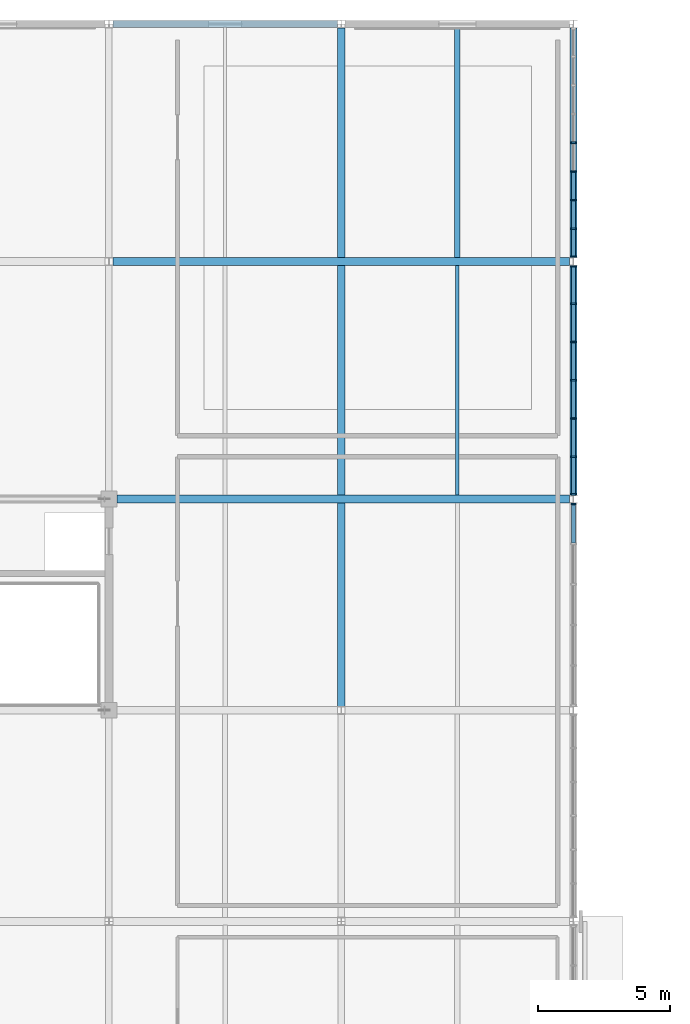
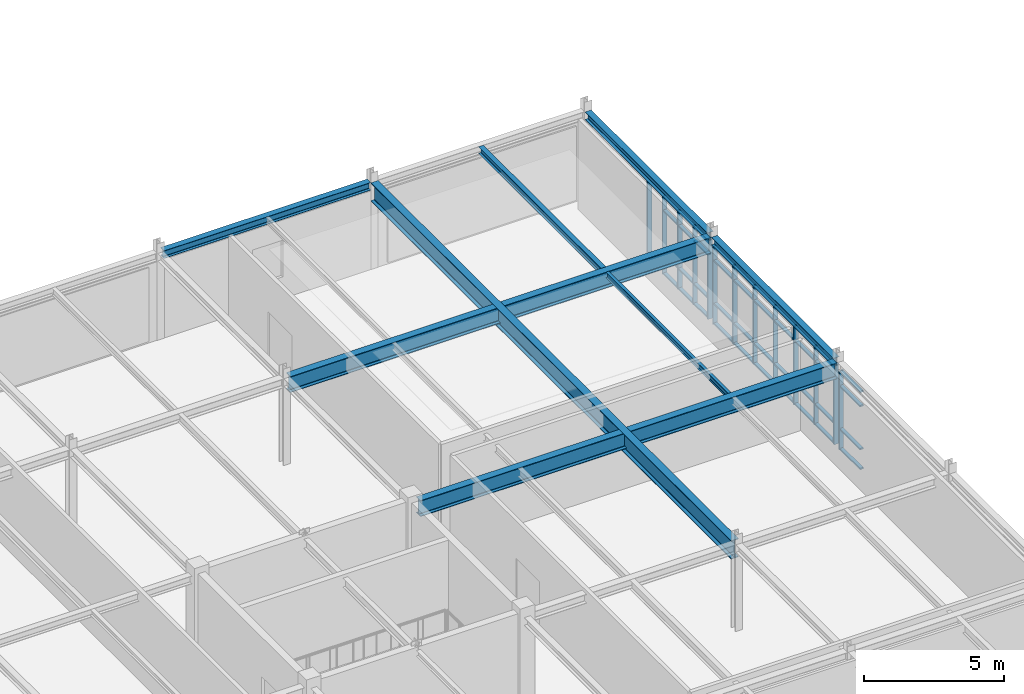
# One storey, part 23 of 64: 53 members, 8 beams, 3 elements without a shape of their own.
"""IFC4 building model written with IfcOpenShell, lengths in metres."""

import ifcopenshell
import ifcopenshell.guid

model = None  # the IFC model being written
_history = None  # IfcOwnerHistory: only IFC2X3 demands one
_inside = {}  # id of a spatial element -> (the spatial element, [elements in it])
_under = {}  # id of a project, library or spatial element -> (it, [spatial elements below it])
_declared = {}  # id of a project -> (the project, [libraries it declares])
_typed = {}  # id of a type object -> (the type object, [elements of that type])
_made_of = {}  # id of a material, layer set ... -> (it, [elements and type objects made of it])


def new_model(schema):
    """Start an empty IFC model of exactly this schema.

    Asked for "IFC4X3", IfcOpenShell would pick the latest addendum, in which some entities
    have other attributes; the version numbers below select the first issue.
    IFC2X3 requires an IfcOwnerHistory on every rooted entity: one is made here for all.
    """
    global model, _history
    if schema == "IFC4X3":
        model = ifcopenshell.file(schema_version=(4, 3, 0, 0))
    else:
        model = ifcopenshell.file(schema=schema)
    _inside.clear()
    _under.clear()
    _declared.clear()
    _typed.clear()
    _made_of.clear()
    _history = None
    if model.schema == "IFC2X3":
        org = make("IfcOrganization", Name="unknown")
        user = make(
            "IfcPersonAndOrganization",
            ThePerson=make("IfcPerson", FamilyName="unknown"),
            TheOrganization=org,
        )
        app = make(
            "IfcApplication",
            ApplicationDeveloper=org,
            Version="unknown",
            ApplicationFullName="unknown",
            ApplicationIdentifier="unknown",
        )
        _history = make(
            "IfcOwnerHistory",
            OwningUser=user,
            OwningApplication=app,
            ChangeAction="ADDED",
            CreationDate=0,
        )
    return model


def make(cls, **values):
    """One entity of the class cls with the attributes given. An attribute that is None is left unset."""
    return model.create_entity(
        cls, **{name: value for name, value in values.items() if value is not None}
    )


def rooted(cls, **values):
    """An entity with a GlobalId (a new one), such as an element, a storey or a relation."""
    return make(cls, GlobalId=ifcopenshell.guid.new(), OwnerHistory=_history, **values)


def si_unit(unit_type, name, prefix=None):
    """IfcSIUnit, for example si_unit("LENGTHUNIT", "METRE", prefix="MILLI")."""
    return make("IfcSIUnit", UnitType=unit_type, Prefix=prefix, Name=name)


def assignment(units):
    """IfcUnitAssignment: the units of a project."""
    return None if units is None else make("IfcUnitAssignment", Units=units)


def point(xyz):
    """IfcCartesianPoint."""
    return None if xyz is None else make("IfcCartesianPoint", Coordinates=xyz)


def direction(xyz):
    """IfcDirection."""
    return None if xyz is None else make("IfcDirection", DirectionRatios=xyz)


def frame(location, z_axis=None, x_axis=None):
    """IfcAxis2Placement3D, a coordinate frame: its origin and axes. An axis left out is left unset."""
    return make(
        "IfcAxis2Placement3D",
        Location=point(location),
        Axis=direction(z_axis),
        RefDirection=direction(x_axis),
    )


def frame_2d(location, x_axis=None):
    """IfcAxis2Placement2D, a coordinate frame in the plane: its origin and x axis."""
    return make(
        "IfcAxis2Placement2D", Location=point(location), RefDirection=direction(x_axis)
    )


def origin():
    """The frame at (0, 0, 0) with its axes left unset."""
    return frame((0.0, 0.0, 0.0))


def origin_2d():
    """The frame at (0, 0) in the plane with its x axis left unset."""
    return frame_2d((0.0, 0.0))


def place(relative_to, where):
    """IfcLocalPlacement: puts the frame where relative to a parent placement (None: the world)."""
    return make(
        "IfcLocalPlacement", PlacementRelTo=relative_to, RelativePlacement=where
    )


def context(
    kind, dimensions, precision=None, world=None, true_north=None, identifier=None
):
    """IfcGeometricRepresentationContext, for example the 3D "Model" context."""
    return make(
        "IfcGeometricRepresentationContext",
        ContextIdentifier=identifier,
        ContextType=kind,
        CoordinateSpaceDimension=dimensions,
        Precision=precision,
        WorldCoordinateSystem=world,
        TrueNorth=true_north,
    )


def subcontext(parent, identifier, kind, view, scale=None):
    """IfcGeometricRepresentationSubContext, for example "Body" below "Model"."""
    return make(
        "IfcGeometricRepresentationSubContext",
        ContextIdentifier=identifier,
        ContextType=kind,
        ParentContext=parent,
        TargetScale=scale,
        TargetView=view,
    )


def project(units=None, contexts=None):
    """IfcProject with its units and contexts."""
    return rooted(
        "IfcProject",
        Name="project",
        RepresentationContexts=contexts,
        UnitsInContext=assignment(units),
    )


def spatial(cls, under=None, at=None, **own):
    """A site, building, storey or space (cls), placed at a placement, below another one or the project."""
    s = rooted(cls, ObjectPlacement=at, **own)
    if under is not None:
        _under.setdefault(under.id(), (under, []))[1].append(s)
    return s


def profile(cls, at=None, kind="AREA", **sizes):
    """A parametric profile (cls). Its sizes go by their IFC names, for example OverallWidth=200.0."""
    return make(cls, ProfileType=kind, Position=at, **sizes)


def rectangle(**sizes):
    """IfcRectangleProfileDef."""
    return profile("IfcRectangleProfileDef", **sizes)


def i_section(**sizes):
    """IfcIShapeProfileDef."""
    return profile("IfcIShapeProfileDef", **sizes)


def extrude(swept, where, along, depth):
    """IfcExtrudedAreaSolid: the profile swept, set in the frame where, extruded along a direction by depth."""
    return make(
        "IfcExtrudedAreaSolid",
        SweptArea=swept,
        Position=where,
        ExtrudedDirection=direction(along),
        Depth=depth,
    )


def shape(context_of_items, identifier, shape_type, items):
    """IfcShapeRepresentation: the items that make up one representation, for example the "Body"."""
    return make(
        "IfcShapeRepresentation",
        ContextOfItems=context_of_items,
        RepresentationIdentifier=identifier,
        RepresentationType=shape_type,
        Items=items,
    )


def material(Name=None, Category=None):
    """IfcMaterial."""
    return make("IfcMaterial", Name=Name, Category=Category)


def material_profile(
    of_material, cross_section, Name=None, Category=None, Priority=None
):
    """IfcMaterialProfile: a cross section and its material."""
    return make(
        "IfcMaterialProfile",
        Name=Name,
        Material=of_material,
        Profile=cross_section,
        Priority=Priority,
        Category=Category,
    )


def profile_set(profiles, Name=None, composite=None):
    """IfcMaterialProfileSet."""
    return make(
        "IfcMaterialProfileSet",
        Name=Name,
        MaterialProfiles=profiles,
        CompositeProfile=composite,
    )


def made_of(thing, what):
    """Note that an element or type object is made of a material, layer set ...; save() writes the relation."""
    if what is not None:
        _made_of.setdefault(what.id(), (what, []))[1].append(thing)
    return thing


def type_object(cls, material=None, **own):
    """A type object (cls), such as IfcWallType, which elements share."""
    return made_of(rooted(cls, **own), material)


def element(
    cls,
    number,
    at=None,
    inside=None,
    cuts=None,
    type_object=None,
    material=None,
    context=None,
    identifier="Body",
    shape_type=None,
    held_by="IfcProductDefinitionShape",
    body=None,
    shapes=None,
    **own,
):
    """One element of the class cls, such as IfcWall. Its Tag is "e" and its number.

    at: its placement. inside: the storey or other place that contains it. cuts: it is an
    opening in that element (IfcRelVoidsElement). A single representation is given by context,
    identifier, shape_type and body (its items); several are given by shapes. held_by: the class
    of the entity that holds the representations. save() writes the other relations.
    """
    e = rooted(cls, Tag="e%d" % number, ObjectPlacement=at, **own)
    if body is not None:
        shapes = [shape(context, identifier, shape_type, body)]
    if shapes is not None:
        e.Representation = make(held_by, Representations=shapes)
    if inside is not None:
        _inside.setdefault(inside.id(), (inside, []))[1].append(e)
    if cuts is not None:
        rooted(
            "IfcRelVoidsElement", RelatingBuildingElement=cuts, RelatedOpeningElement=e
        )
    if type_object is not None:
        _typed.setdefault(type_object.id(), (type_object, []))[1].append(e)
    return made_of(e, material)


def aggregate(whole, parts):
    """IfcRelAggregates: a whole, such as a stair, and the parts it consists of."""
    return rooted("IfcRelAggregates", RelatingObject=whole, RelatedObjects=parts)


def save(model, path):
    """Write the relations noted so far, then the file.

    IfcRelAggregates (storeys below a building ...), IfcRelContainedInSpatialStructure (elements
    in a storey), IfcRelDefinesByType, IfcRelAssociatesMaterial and IfcRelDeclares: one each for
    every whole, place, type object, material and project.
    """
    for whole, parts in _under.values():
        aggregate(whole, parts)
    for where, things in _inside.values():
        rooted(
            "IfcRelContainedInSpatialStructure",
            RelatedElements=things,
            RelatingStructure=where,
        )
    for kind, things in _typed.values():
        rooted("IfcRelDefinesByType", RelatedObjects=things, RelatingType=kind)
    for what, things in _made_of.values():
        rooted("IfcRelAssociatesMaterial", RelatedObjects=things, RelatingMaterial=what)
    for by, libraries in _declared.values():
        rooted("IfcRelDeclares", RelatingContext=by, RelatedDefinitions=libraries)
    model.write(path)


model = new_model("IFC4")

# Units and contexts
model_context = context("Model", 3, precision=1e-05, world=origin(), true_north=direction((0.0, 1.0)))
body_context = subcontext(model_context, "Body", "Model", "MODEL_VIEW")
ifc_project = project(units=[si_unit("LENGTHUNIT", "METRE"), si_unit("AREAUNIT", "SQUARE_METRE"), si_unit("VOLUMEUNIT", "CUBIC_METRE"), si_unit("PLANEANGLEUNIT", "RADIAN"), si_unit("MASSUNIT", "GRAM", prefix="KILO")], contexts=[model_context])

# Site, building, storey
site_placement = place(None, origin())
site = spatial("IfcSite", under=ifc_project, at=site_placement, CompositionType="ELEMENT")
building_placement = place(site_placement, origin())
building = spatial("IfcBuilding", under=site, at=building_placement, Name="Zhaolan Boulevard Law Courts", CompositionType="ELEMENT")
storey_placement = place(building_placement, frame((0.0, 0.0, 20.39990234375)))
storey = spatial("IfcBuildingStorey", under=building, at=storey_placement, Name="L04", CompositionType="ELEMENT", Elevation=20.39990234375)

# Curtain wall, member
ifc_material_1 = material(Name="Thermally broken aluminium and low-E glazing", Category="aluminium")
curtain_wall_type_1 = type_object("IfcCurtainWallType", Name="CURTAIN WALL M16", PredefinedType="USERDEFINED", material=ifc_material_1)
curtain_wall_1_placement = place(storey_placement, origin())
curtain_wall_1 = element("IfcCurtainWall", 1, at=curtain_wall_1_placement, inside=storey, type_object=curtain_wall_type_1, Name="Curtain Wall CW-L04-136", ObjectType="CURTAIN WALL", PredefinedType="USERDEFINED")
ifc_material_2 = material(Name="Fluorocarbon-coated aluminium 6063-T6", Category="aluminium")
ifc_material_profile_1 = material_profile(ifc_material_2, rectangle(XDim=0.179931640625, YDim=0.06494140625, at=origin_2d()), Name="AL65x180")
ifc_profile_set_1 = profile_set([ifc_material_profile_1], Name="Fluorocarbon-coated aluminium 6063-T6")
member_type_1 = type_object("IfcMemberType", Name="CWMULLION 65X180", PredefinedType="MULLION", material=ifc_profile_set_1)
member_1_placement = place(storey_placement, frame((44.0, 93.8154296875, 0.0), z_axis=(0.0, 0.0, 1.0), x_axis=(-1.0, 0.0, 0.0)))
member_1 = element("IfcMember", 2, at=member_1_placement, type_object=member_type_1, Name="CW-L04-136 mullion 6", PredefinedType="MULLION", context=body_context, shape_type="SweptSolid", body=[
    extrude(rectangle(XDim=0.179931640625, YDim=0.06494140625, at=origin_2d()), origin(), (0.0, 0.0, 1.0), 3.423095703125),
])

# Curtain wall, members
ifc_material_3 = material(Name="Thermally broken aluminium and low-E glazing", Category="aluminium")
curtain_wall_type_2 = type_object("IfcCurtainWallType", Name="CURTAIN WALL M17", PredefinedType="USERDEFINED", material=ifc_material_3)
curtain_wall_2_placement = place(storey_placement, origin())
curtain_wall_2 = element("IfcCurtainWall", 3, at=curtain_wall_2_placement, inside=storey, type_object=curtain_wall_type_2, Name="Curtain Wall CW-L04-137", ObjectType="CURTAIN WALL", PredefinedType="USERDEFINED")
member_2_placement = place(storey_placement, frame((44.0, 94.1845703125, 0.0), z_axis=(0.0, 0.0, 1.0), x_axis=(-1.0, 0.0, 0.0)))
member_2 = element("IfcMember", 4, at=member_2_placement, type_object=member_type_1, Name="CW-L04-137 mullion 1", PredefinedType="MULLION", context=body_context, shape_type="SweptSolid", body=[
    extrude(rectangle(XDim=0.179931640625, YDim=0.06494140625, at=origin_2d()), origin(), (0.0, 0.0, 1.0), 3.423095703125),
])
member_3_placement = place(storey_placement, frame((44.0, 95.601318359375, 0.0), z_axis=(0.0, 0.0, 1.0), x_axis=(-1.0, 0.0, 0.0)))
member_3 = element("IfcMember", 5, at=member_3_placement, type_object=member_type_1, Name="CW-L04-137 mullion 2", PredefinedType="MULLION", context=body_context, shape_type="SweptSolid", body=[
    extrude(rectangle(XDim=0.179931640625, YDim=0.06494140625, at=origin_2d()), origin(), (0.0, 0.0, 1.0), 3.423095703125),
])
member_4_placement = place(storey_placement, frame((44.0, 97.05078125, 0.0), z_axis=(0.0, 0.0, 1.0), x_axis=(-1.0, 0.0, 0.0)))
member_4 = element("IfcMember", 6, at=member_4_placement, type_object=member_type_1, Name="CW-L04-137 mullion 3", PredefinedType="MULLION", context=body_context, shape_type="SweptSolid", body=[
    extrude(rectangle(XDim=0.179931640625, YDim=0.06494140625, at=origin_2d()), origin(), (0.0, 0.0, 1.0), 3.423095703125),
])
member_5_placement = place(storey_placement, frame((44.0, 98.5, 0.0), z_axis=(0.0, 0.0, 1.0), x_axis=(-1.0, 0.0, 0.0)))
member_5 = element("IfcMember", 7, at=member_5_placement, type_object=member_type_1, Name="CW-L04-137 mullion 4", PredefinedType="MULLION", context=body_context, shape_type="SweptSolid", body=[
    extrude(rectangle(XDim=0.179931640625, YDim=0.06494140625, at=origin_2d()), origin(), (0.0, 0.0, 1.0), 3.423095703125),
])
member_6_placement = place(storey_placement, frame((44.0, 99.94921875, 0.0), z_axis=(0.0, 0.0, 1.0), x_axis=(-1.0, 0.0, 0.0)))
member_6 = element("IfcMember", 8, at=member_6_placement, type_object=member_type_1, Name="CW-L04-137 mullion 5", PredefinedType="MULLION", context=body_context, shape_type="SweptSolid", body=[
    extrude(rectangle(XDim=0.179931640625, YDim=0.06494140625, at=origin_2d()), origin(), (0.0, 0.0, 1.0), 3.423095703125),
])
member_7_placement = place(storey_placement, frame((44.0, 101.398681640625, 0.0), z_axis=(0.0, 0.0, 1.0), x_axis=(-1.0, 0.0, 0.0)))
member_7 = element("IfcMember", 9, at=member_7_placement, type_object=member_type_1, Name="CW-L04-137 mullion 6", PredefinedType="MULLION", context=body_context, shape_type="SweptSolid", body=[
    extrude(rectangle(XDim=0.179931640625, YDim=0.06494140625, at=origin_2d()), origin(), (0.0, 0.0, 1.0), 3.423095703125),
])
member_8_placement = place(storey_placement, frame((44.0, 102.8154296875, 0.0), z_axis=(0.0, 0.0, 1.0), x_axis=(-1.0, 0.0, 0.0)))
member_8 = element("IfcMember", 10, at=member_8_placement, type_object=member_type_1, Name="CW-L04-137 mullion 7", PredefinedType="MULLION", context=body_context, shape_type="SweptSolid", body=[
    extrude(rectangle(XDim=0.179931640625, YDim=0.06494140625, at=origin_2d()), origin(), (0.0, 0.0, 1.0), 3.423095703125),
])

ifc_material_4 = material(Name="Thermally broken aluminium and low-E glazing", Category="aluminium")
curtain_wall_type_3 = type_object("IfcCurtainWallType", Name="CURTAIN WALL M18", PredefinedType="USERDEFINED", material=ifc_material_4)
curtain_wall_3_placement = place(storey_placement, origin())
curtain_wall_3 = element("IfcCurtainWall", 11, at=curtain_wall_3_placement, inside=storey, type_object=curtain_wall_type_3, Name="Curtain Wall CW-L04-138", ObjectType="CURTAIN WALL", PredefinedType="USERDEFINED")
member_9_placement = place(storey_placement, frame((44.0, 103.1845703125, 0.0), z_axis=(0.0, 0.0, 1.0), x_axis=(-1.0, 0.0, 0.0)))
member_9 = element("IfcMember", 12, at=member_9_placement, type_object=member_type_1, Name="CW-L04-138 mullion 1", PredefinedType="MULLION", context=body_context, shape_type="SweptSolid", body=[
    extrude(rectangle(XDim=0.179931640625, YDim=0.06494140625, at=origin_2d()), origin(), (0.0, 0.0, 1.0), 3.423095703125),
])
member_10_placement = place(storey_placement, frame((44.0, 104.239013671875, 0.0), z_axis=(0.0, 0.0, 1.0), x_axis=(-1.0, 0.0, 0.0)))
member_10 = element("IfcMember", 13, at=member_10_placement, type_object=member_type_1, Name="CW-L04-138 mullion 2", PredefinedType="MULLION", context=body_context, shape_type="SweptSolid", body=[
    extrude(rectangle(XDim=0.179931640625, YDim=0.06494140625, at=origin_2d()), origin(), (0.0, 0.0, 1.0), 3.423095703125),
])
member_11_placement = place(storey_placement, frame((44.0, 105.325927734375, 0.0), z_axis=(0.0, 0.0, 1.0), x_axis=(-1.0, 0.0, 0.0)))
member_11 = element("IfcMember", 14, at=member_11_placement, type_object=member_type_1, Name="CW-L04-138 mullion 3", PredefinedType="MULLION", context=body_context, shape_type="SweptSolid", body=[
    extrude(rectangle(XDim=0.179931640625, YDim=0.06494140625, at=origin_2d()), origin(), (0.0, 0.0, 1.0), 3.423095703125),
])
member_12_placement = place(storey_placement, frame((44.0, 106.4130859375, 0.0), z_axis=(0.0, 0.0, 1.0), x_axis=(-1.0, 0.0, 0.0)))
member_12 = element("IfcMember", 15, at=member_12_placement, type_object=member_type_1, Name="CW-L04-138 mullion 4", PredefinedType="MULLION", context=body_context, shape_type="SweptSolid", body=[
    extrude(rectangle(XDim=0.179931640625, YDim=0.06494140625, at=origin_2d()), origin(), (0.0, 0.0, 1.0), 3.423095703125),
])
member_13_placement = place(storey_placement, frame((44.0, 107.5, 0.0), z_axis=(0.0, 0.0, 1.0), x_axis=(-1.0, 0.0, 0.0)))
member_13 = element("IfcMember", 16, at=member_13_placement, type_object=member_type_1, Name="CW-L04-138 mullion 5", PredefinedType="MULLION", context=body_context, shape_type="SweptSolid", body=[
    extrude(rectangle(XDim=0.179931640625, YDim=0.06494140625, at=origin_2d()), origin(), (0.0, 0.0, 1.0), 3.423095703125),
])

# Member
ifc_material_5 = material(Name="Fluorocarbon-coated aluminium 6063-T6", Category="aluminium")
ifc_material_profile_2 = material_profile(ifc_material_5, rectangle(XDim=0.139892578125, YDim=0.06494140625, at=origin_2d()), Name="AL65x140")
ifc_profile_set_2 = profile_set([ifc_material_profile_2], Name="Fluorocarbon-coated aluminium 6063-T6")
member_type_2 = type_object("IfcMemberType", Name="CWTRANSOM 65X140", PredefinedType="USERDEFINED", material=ifc_profile_set_2)
member_14_placement = place(storey_placement, frame((44.0, 92.34130859375, 0.03271484375), z_axis=(0.0, 1.0, 0.0), x_axis=(-1.0, 0.0, 0.0)))
member_14 = element("IfcMember", 17, at=member_14_placement, type_object=member_type_2, Name="CW-L04-136 transom 5.1", ObjectType="TRANSOM", PredefinedType="USERDEFINED", context=body_context, shape_type="SweptSolid", body=[
    extrude(rectangle(XDim=0.139892578125, YDim=0.06494140625, at=origin_2d()), origin(), (0.0, 0.0, 1.0), 1.441650390625),
])

member_15_placement = place(storey_placement, frame((44.0, 92.34130859375, 0.900146484375), z_axis=(0.0, 1.0, 0.0), x_axis=(-1.0, 0.0, 0.0)))
member_15 = element("IfcMember", 18, at=member_15_placement, type_object=member_type_2, Name="CW-L04-136 transom 5.2", ObjectType="TRANSOM", PredefinedType="USERDEFINED", context=body_context, shape_type="SweptSolid", body=[
    extrude(rectangle(XDim=0.139892578125, YDim=0.06494140625, at=origin_2d()), origin(), (0.0, 0.0, 1.0), 1.441650390625),
])

member_16_placement = place(storey_placement, frame((44.0, 92.34130859375, 2.773193359375), z_axis=(0.0, 1.0, 0.0), x_axis=(-1.0, 0.0, 0.0)))
member_16 = element("IfcMember", 19, at=member_16_placement, type_object=member_type_2, Name="CW-L04-136 transom 5.3", ObjectType="TRANSOM", PredefinedType="USERDEFINED", context=body_context, shape_type="SweptSolid", body=[
    extrude(rectangle(XDim=0.139892578125, YDim=0.06494140625, at=origin_2d()), origin(), (0.0, 0.0, 1.0), 1.441650390625),
])

member_17_placement = place(storey_placement, frame((44.0, 92.34130859375, 3.390625), z_axis=(0.0, 1.0, 0.0), x_axis=(-1.0, 0.0, 0.0)))
member_17 = element("IfcMember", 20, at=member_17_placement, type_object=member_type_2, Name="CW-L04-136 transom 5.4", ObjectType="TRANSOM", PredefinedType="USERDEFINED", context=body_context, shape_type="SweptSolid", body=[
    extrude(rectangle(XDim=0.139892578125, YDim=0.06494140625, at=origin_2d()), origin(), (0.0, 0.0, 1.0), 1.441650390625),
])

aggregate(curtain_wall_1, [member_1, member_14, member_15, member_16, member_17])

member_18_placement = place(storey_placement, frame((44.0, 94.217041015625, 0.03271484375), z_axis=(0.0, 1.0, 0.0), x_axis=(-1.0, 0.0, 0.0)))
member_18 = element("IfcMember", 21, at=member_18_placement, type_object=member_type_2, Name="CW-L04-137 transom 1.1", ObjectType="TRANSOM", PredefinedType="USERDEFINED", context=body_context, shape_type="SweptSolid", body=[
    extrude(rectangle(XDim=0.139892578125, YDim=0.06494140625, at=origin_2d()), origin(), (0.0, 0.0, 1.0), 1.351806640625),
])

member_19_placement = place(storey_placement, frame((44.0, 94.217041015625, 0.900146484375), z_axis=(0.0, 1.0, 0.0), x_axis=(-1.0, 0.0, 0.0)))
member_19 = element("IfcMember", 22, at=member_19_placement, type_object=member_type_2, Name="CW-L04-137 transom 1.2", ObjectType="TRANSOM", PredefinedType="USERDEFINED", context=body_context, shape_type="SweptSolid", body=[
    extrude(rectangle(XDim=0.139892578125, YDim=0.06494140625, at=origin_2d()), origin(), (0.0, 0.0, 1.0), 1.351806640625),
])

member_20_placement = place(storey_placement, frame((44.0, 94.217041015625, 2.773193359375), z_axis=(0.0, 1.0, 0.0), x_axis=(-1.0, 0.0, 0.0)))
member_20 = element("IfcMember", 23, at=member_20_placement, type_object=member_type_2, Name="CW-L04-137 transom 1.3", ObjectType="TRANSOM", PredefinedType="USERDEFINED", context=body_context, shape_type="SweptSolid", body=[
    extrude(rectangle(XDim=0.139892578125, YDim=0.06494140625, at=origin_2d()), origin(), (0.0, 0.0, 1.0), 1.351806640625),
])

member_21_placement = place(storey_placement, frame((44.0, 94.217041015625, 3.390625), z_axis=(0.0, 1.0, 0.0), x_axis=(-1.0, 0.0, 0.0)))
member_21 = element("IfcMember", 24, at=member_21_placement, type_object=member_type_2, Name="CW-L04-137 transom 1.4", ObjectType="TRANSOM", PredefinedType="USERDEFINED", context=body_context, shape_type="SweptSolid", body=[
    extrude(rectangle(XDim=0.139892578125, YDim=0.06494140625, at=origin_2d()), origin(), (0.0, 0.0, 1.0), 1.351806640625),
])

member_22_placement = place(storey_placement, frame((44.0, 95.6337890625, 0.03271484375), z_axis=(0.0, 1.0, 0.0), x_axis=(-1.0, 0.0, 0.0)))
member_22 = element("IfcMember", 25, at=member_22_placement, type_object=member_type_2, Name="CW-L04-137 transom 2.1", ObjectType="TRANSOM", PredefinedType="USERDEFINED", context=body_context, shape_type="SweptSolid", body=[
    extrude(rectangle(XDim=0.139892578125, YDim=0.06494140625, at=origin_2d()), origin(), (0.0, 0.0, 1.0), 1.38427734375),
])

member_23_placement = place(storey_placement, frame((44.0, 95.6337890625, 0.900146484375), z_axis=(0.0, 1.0, 0.0), x_axis=(-1.0, 0.0, 0.0)))
member_23 = element("IfcMember", 26, at=member_23_placement, type_object=member_type_2, Name="CW-L04-137 transom 2.2", ObjectType="TRANSOM", PredefinedType="USERDEFINED", context=body_context, shape_type="SweptSolid", body=[
    extrude(rectangle(XDim=0.139892578125, YDim=0.06494140625, at=origin_2d()), origin(), (0.0, 0.0, 1.0), 1.38427734375),
])

member_24_placement = place(storey_placement, frame((44.0, 95.6337890625, 2.773193359375), z_axis=(0.0, 1.0, 0.0), x_axis=(-1.0, 0.0, 0.0)))
member_24 = element("IfcMember", 27, at=member_24_placement, type_object=member_type_2, Name="CW-L04-137 transom 2.3", ObjectType="TRANSOM", PredefinedType="USERDEFINED", context=body_context, shape_type="SweptSolid", body=[
    extrude(rectangle(XDim=0.139892578125, YDim=0.06494140625, at=origin_2d()), origin(), (0.0, 0.0, 1.0), 1.38427734375),
])

member_25_placement = place(storey_placement, frame((44.0, 95.6337890625, 3.390625), z_axis=(0.0, 1.0, 0.0), x_axis=(-1.0, 0.0, 0.0)))
member_25 = element("IfcMember", 28, at=member_25_placement, type_object=member_type_2, Name="CW-L04-137 transom 2.4", ObjectType="TRANSOM", PredefinedType="USERDEFINED", context=body_context, shape_type="SweptSolid", body=[
    extrude(rectangle(XDim=0.139892578125, YDim=0.06494140625, at=origin_2d()), origin(), (0.0, 0.0, 1.0), 1.38427734375),
])

member_26_placement = place(storey_placement, frame((44.0, 97.083251953125, 0.03271484375), z_axis=(0.0, 1.0, 0.0), x_axis=(-1.0, 0.0, 0.0)))
member_26 = element("IfcMember", 29, at=member_26_placement, type_object=member_type_2, Name="CW-L04-137 transom 3.1", ObjectType="TRANSOM", PredefinedType="USERDEFINED", context=body_context, shape_type="SweptSolid", body=[
    extrude(rectangle(XDim=0.139892578125, YDim=0.06494140625, at=origin_2d()), origin(), (0.0, 0.0, 1.0), 1.38427734375),
])

member_27_placement = place(storey_placement, frame((44.0, 97.083251953125, 0.900146484375), z_axis=(0.0, 1.0, 0.0), x_axis=(-1.0, 0.0, 0.0)))
member_27 = element("IfcMember", 30, at=member_27_placement, type_object=member_type_2, Name="CW-L04-137 transom 3.2", ObjectType="TRANSOM", PredefinedType="USERDEFINED", context=body_context, shape_type="SweptSolid", body=[
    extrude(rectangle(XDim=0.139892578125, YDim=0.06494140625, at=origin_2d()), origin(), (0.0, 0.0, 1.0), 1.38427734375),
])

member_28_placement = place(storey_placement, frame((44.0, 97.083251953125, 2.773193359375), z_axis=(0.0, 1.0, 0.0), x_axis=(-1.0, 0.0, 0.0)))
member_28 = element("IfcMember", 31, at=member_28_placement, type_object=member_type_2, Name="CW-L04-137 transom 3.3", ObjectType="TRANSOM", PredefinedType="USERDEFINED", context=body_context, shape_type="SweptSolid", body=[
    extrude(rectangle(XDim=0.139892578125, YDim=0.06494140625, at=origin_2d()), origin(), (0.0, 0.0, 1.0), 1.38427734375),
])

member_29_placement = place(storey_placement, frame((44.0, 97.083251953125, 3.390625), z_axis=(0.0, 1.0, 0.0), x_axis=(-1.0, 0.0, 0.0)))
member_29 = element("IfcMember", 32, at=member_29_placement, type_object=member_type_2, Name="CW-L04-137 transom 3.4", ObjectType="TRANSOM", PredefinedType="USERDEFINED", context=body_context, shape_type="SweptSolid", body=[
    extrude(rectangle(XDim=0.139892578125, YDim=0.06494140625, at=origin_2d()), origin(), (0.0, 0.0, 1.0), 1.38427734375),
])

member_30_placement = place(storey_placement, frame((44.0, 98.532470703125, 0.03271484375), z_axis=(0.0, 1.0, 0.0), x_axis=(-1.0, 0.0, 0.0)))
member_30 = element("IfcMember", 33, at=member_30_placement, type_object=member_type_2, Name="CW-L04-137 transom 4.1", ObjectType="TRANSOM", PredefinedType="USERDEFINED", context=body_context, shape_type="SweptSolid", body=[
    extrude(rectangle(XDim=0.139892578125, YDim=0.06494140625, at=origin_2d()), origin(), (0.0, 0.0, 1.0), 1.38427734375),
])

member_31_placement = place(storey_placement, frame((44.0, 98.532470703125, 0.900146484375), z_axis=(0.0, 1.0, 0.0), x_axis=(-1.0, 0.0, 0.0)))
member_31 = element("IfcMember", 34, at=member_31_placement, type_object=member_type_2, Name="CW-L04-137 transom 4.2", ObjectType="TRANSOM", PredefinedType="USERDEFINED", context=body_context, shape_type="SweptSolid", body=[
    extrude(rectangle(XDim=0.139892578125, YDim=0.06494140625, at=origin_2d()), origin(), (0.0, 0.0, 1.0), 1.38427734375),
])

member_32_placement = place(storey_placement, frame((44.0, 98.532470703125, 2.773193359375), z_axis=(0.0, 1.0, 0.0), x_axis=(-1.0, 0.0, 0.0)))
member_32 = element("IfcMember", 35, at=member_32_placement, type_object=member_type_2, Name="CW-L04-137 transom 4.3", ObjectType="TRANSOM", PredefinedType="USERDEFINED", context=body_context, shape_type="SweptSolid", body=[
    extrude(rectangle(XDim=0.139892578125, YDim=0.06494140625, at=origin_2d()), origin(), (0.0, 0.0, 1.0), 1.38427734375),
])

member_33_placement = place(storey_placement, frame((44.0, 98.532470703125, 3.390625), z_axis=(0.0, 1.0, 0.0), x_axis=(-1.0, 0.0, 0.0)))
member_33 = element("IfcMember", 36, at=member_33_placement, type_object=member_type_2, Name="CW-L04-137 transom 4.4", ObjectType="TRANSOM", PredefinedType="USERDEFINED", context=body_context, shape_type="SweptSolid", body=[
    extrude(rectangle(XDim=0.139892578125, YDim=0.06494140625, at=origin_2d()), origin(), (0.0, 0.0, 1.0), 1.38427734375),
])

member_34_placement = place(storey_placement, frame((44.0, 99.98193359375, 0.03271484375), z_axis=(0.0, 1.0, 0.0), x_axis=(-1.0, 0.0, 0.0)))
member_34 = element("IfcMember", 37, at=member_34_placement, type_object=member_type_2, Name="CW-L04-137 transom 5.1", ObjectType="TRANSOM", PredefinedType="USERDEFINED", context=body_context, shape_type="SweptSolid", body=[
    extrude(rectangle(XDim=0.139892578125, YDim=0.06494140625, at=origin_2d()), origin(), (0.0, 0.0, 1.0), 1.38427734375),
])

member_35_placement = place(storey_placement, frame((44.0, 99.98193359375, 0.900146484375), z_axis=(0.0, 1.0, 0.0), x_axis=(-1.0, 0.0, 0.0)))
member_35 = element("IfcMember", 38, at=member_35_placement, type_object=member_type_2, Name="CW-L04-137 transom 5.2", ObjectType="TRANSOM", PredefinedType="USERDEFINED", context=body_context, shape_type="SweptSolid", body=[
    extrude(rectangle(XDim=0.139892578125, YDim=0.06494140625, at=origin_2d()), origin(), (0.0, 0.0, 1.0), 1.38427734375),
])

member_36_placement = place(storey_placement, frame((44.0, 99.98193359375, 2.773193359375), z_axis=(0.0, 1.0, 0.0), x_axis=(-1.0, 0.0, 0.0)))
member_36 = element("IfcMember", 39, at=member_36_placement, type_object=member_type_2, Name="CW-L04-137 transom 5.3", ObjectType="TRANSOM", PredefinedType="USERDEFINED", context=body_context, shape_type="SweptSolid", body=[
    extrude(rectangle(XDim=0.139892578125, YDim=0.06494140625, at=origin_2d()), origin(), (0.0, 0.0, 1.0), 1.38427734375),
])

member_37_placement = place(storey_placement, frame((44.0, 99.98193359375, 3.390625), z_axis=(0.0, 1.0, 0.0), x_axis=(-1.0, 0.0, 0.0)))
member_37 = element("IfcMember", 40, at=member_37_placement, type_object=member_type_2, Name="CW-L04-137 transom 5.4", ObjectType="TRANSOM", PredefinedType="USERDEFINED", context=body_context, shape_type="SweptSolid", body=[
    extrude(rectangle(XDim=0.139892578125, YDim=0.06494140625, at=origin_2d()), origin(), (0.0, 0.0, 1.0), 1.38427734375),
])

member_38_placement = place(storey_placement, frame((44.0, 101.43115234375, 0.03271484375), z_axis=(0.0, 1.0, 0.0), x_axis=(-1.0, 0.0, 0.0)))
member_38 = element("IfcMember", 41, at=member_38_placement, type_object=member_type_2, Name="CW-L04-137 transom 6.1", ObjectType="TRANSOM", PredefinedType="USERDEFINED", context=body_context, shape_type="SweptSolid", body=[
    extrude(rectangle(XDim=0.139892578125, YDim=0.06494140625, at=origin_2d()), origin(), (0.0, 0.0, 1.0), 1.351806640625),
])

member_39_placement = place(storey_placement, frame((44.0, 101.43115234375, 0.900146484375), z_axis=(0.0, 1.0, 0.0), x_axis=(-1.0, 0.0, 0.0)))
member_39 = element("IfcMember", 42, at=member_39_placement, type_object=member_type_2, Name="CW-L04-137 transom 6.2", ObjectType="TRANSOM", PredefinedType="USERDEFINED", context=body_context, shape_type="SweptSolid", body=[
    extrude(rectangle(XDim=0.139892578125, YDim=0.06494140625, at=origin_2d()), origin(), (0.0, 0.0, 1.0), 1.351806640625),
])

member_40_placement = place(storey_placement, frame((44.0, 101.43115234375, 2.773193359375), z_axis=(0.0, 1.0, 0.0), x_axis=(-1.0, 0.0, 0.0)))
member_40 = element("IfcMember", 43, at=member_40_placement, type_object=member_type_2, Name="CW-L04-137 transom 6.3", ObjectType="TRANSOM", PredefinedType="USERDEFINED", context=body_context, shape_type="SweptSolid", body=[
    extrude(rectangle(XDim=0.139892578125, YDim=0.06494140625, at=origin_2d()), origin(), (0.0, 0.0, 1.0), 1.351806640625),
])

member_41_placement = place(storey_placement, frame((44.0, 101.43115234375, 3.390625), z_axis=(0.0, 1.0, 0.0), x_axis=(-1.0, 0.0, 0.0)))
member_41 = element("IfcMember", 44, at=member_41_placement, type_object=member_type_2, Name="CW-L04-137 transom 6.4", ObjectType="TRANSOM", PredefinedType="USERDEFINED", context=body_context, shape_type="SweptSolid", body=[
    extrude(rectangle(XDim=0.139892578125, YDim=0.06494140625, at=origin_2d()), origin(), (0.0, 0.0, 1.0), 1.351806640625),
])

aggregate(curtain_wall_2, [member_2, member_3, member_4, member_5, member_6, member_7, member_8, member_18, member_19, member_20, member_21, member_22, member_23, member_24, member_25, member_26, member_27, member_28, member_29, member_30, member_31, member_32, member_33, member_34, member_35, member_36, member_37, member_38, member_39, member_40, member_41])

member_42_placement = place(storey_placement, frame((44.0, 103.217041015625, 0.03271484375), z_axis=(0.0, 1.0, 0.0), x_axis=(-1.0, 0.0, 0.0)))
member_42 = element("IfcMember", 45, at=member_42_placement, type_object=member_type_2, Name="CW-L04-138 transom 1.1", ObjectType="TRANSOM", PredefinedType="USERDEFINED", context=body_context, shape_type="SweptSolid", body=[
    extrude(rectangle(XDim=0.139892578125, YDim=0.06494140625, at=origin_2d()), origin(), (0.0, 0.0, 1.0), 0.989501953125),
])

member_43_placement = place(storey_placement, frame((44.0, 103.217041015625, 0.900146484375), z_axis=(0.0, 1.0, 0.0), x_axis=(-1.0, 0.0, 0.0)))
member_43 = element("IfcMember", 46, at=member_43_placement, type_object=member_type_2, Name="CW-L04-138 transom 1.2", ObjectType="TRANSOM", PredefinedType="USERDEFINED", context=body_context, shape_type="SweptSolid", body=[
    extrude(rectangle(XDim=0.139892578125, YDim=0.06494140625, at=origin_2d()), origin(), (0.0, 0.0, 1.0), 0.989501953125),
])

member_44_placement = place(storey_placement, frame((44.0, 103.217041015625, 2.773193359375), z_axis=(0.0, 1.0, 0.0), x_axis=(-1.0, 0.0, 0.0)))
member_44 = element("IfcMember", 47, at=member_44_placement, type_object=member_type_2, Name="CW-L04-138 transom 1.3", ObjectType="TRANSOM", PredefinedType="USERDEFINED", context=body_context, shape_type="SweptSolid", body=[
    extrude(rectangle(XDim=0.139892578125, YDim=0.06494140625, at=origin_2d()), origin(), (0.0, 0.0, 1.0), 0.989501953125),
])

member_45_placement = place(storey_placement, frame((44.0, 103.217041015625, 3.390625), z_axis=(0.0, 1.0, 0.0), x_axis=(-1.0, 0.0, 0.0)))
member_45 = element("IfcMember", 48, at=member_45_placement, type_object=member_type_2, Name="CW-L04-138 transom 1.4", ObjectType="TRANSOM", PredefinedType="USERDEFINED", context=body_context, shape_type="SweptSolid", body=[
    extrude(rectangle(XDim=0.139892578125, YDim=0.06494140625, at=origin_2d()), origin(), (0.0, 0.0, 1.0), 0.989501953125),
])

member_46_placement = place(storey_placement, frame((44.0, 104.271484375, 0.03271484375), z_axis=(0.0, 1.0, 0.0), x_axis=(-1.0, 0.0, 0.0)))
member_46 = element("IfcMember", 49, at=member_46_placement, type_object=member_type_2, Name="CW-L04-138 transom 2.1", ObjectType="TRANSOM", PredefinedType="USERDEFINED", context=body_context, shape_type="SweptSolid", body=[
    extrude(rectangle(XDim=0.139892578125, YDim=0.06494140625, at=origin_2d()), origin(), (0.0, 0.0, 1.0), 1.02197265625),
])

member_47_placement = place(storey_placement, frame((44.0, 104.271484375, 0.900146484375), z_axis=(0.0, 1.0, 0.0), x_axis=(-1.0, 0.0, 0.0)))
member_47 = element("IfcMember", 50, at=member_47_placement, type_object=member_type_2, Name="CW-L04-138 transom 2.2", ObjectType="TRANSOM", PredefinedType="USERDEFINED", context=body_context, shape_type="SweptSolid", body=[
    extrude(rectangle(XDim=0.139892578125, YDim=0.06494140625, at=origin_2d()), origin(), (0.0, 0.0, 1.0), 1.02197265625),
])

member_48_placement = place(storey_placement, frame((44.0, 104.271484375, 2.773193359375), z_axis=(0.0, 1.0, 0.0), x_axis=(-1.0, 0.0, 0.0)))
member_48 = element("IfcMember", 51, at=member_48_placement, type_object=member_type_2, Name="CW-L04-138 transom 2.3", ObjectType="TRANSOM", PredefinedType="USERDEFINED", context=body_context, shape_type="SweptSolid", body=[
    extrude(rectangle(XDim=0.139892578125, YDim=0.06494140625, at=origin_2d()), origin(), (0.0, 0.0, 1.0), 1.02197265625),
])

member_49_placement = place(storey_placement, frame((44.0, 104.271484375, 3.390625), z_axis=(0.0, 1.0, 0.0), x_axis=(-1.0, 0.0, 0.0)))
member_49 = element("IfcMember", 52, at=member_49_placement, type_object=member_type_2, Name="CW-L04-138 transom 2.4", ObjectType="TRANSOM", PredefinedType="USERDEFINED", context=body_context, shape_type="SweptSolid", body=[
    extrude(rectangle(XDim=0.139892578125, YDim=0.06494140625, at=origin_2d()), origin(), (0.0, 0.0, 1.0), 1.02197265625),
])

member_50_placement = place(storey_placement, frame((44.0, 105.3583984375, 0.03271484375), z_axis=(0.0, 1.0, 0.0), x_axis=(-1.0, 0.0, 0.0)))
member_50 = element("IfcMember", 53, at=member_50_placement, type_object=member_type_2, Name="CW-L04-138 transom 3.1", ObjectType="TRANSOM", PredefinedType="USERDEFINED", context=body_context, shape_type="SweptSolid", body=[
    extrude(rectangle(XDim=0.139892578125, YDim=0.06494140625, at=origin_2d()), origin(), (0.0, 0.0, 1.0), 1.022216796875),
])

member_51_placement = place(storey_placement, frame((44.0, 105.3583984375, 0.900146484375), z_axis=(0.0, 1.0, 0.0), x_axis=(-1.0, 0.0, 0.0)))
member_51 = element("IfcMember", 54, at=member_51_placement, type_object=member_type_2, Name="CW-L04-138 transom 3.2", ObjectType="TRANSOM", PredefinedType="USERDEFINED", context=body_context, shape_type="SweptSolid", body=[
    extrude(rectangle(XDim=0.139892578125, YDim=0.06494140625, at=origin_2d()), origin(), (0.0, 0.0, 1.0), 1.022216796875),
])

member_52_placement = place(storey_placement, frame((44.0, 105.3583984375, 2.773193359375), z_axis=(0.0, 1.0, 0.0), x_axis=(-1.0, 0.0, 0.0)))
member_52 = element("IfcMember", 55, at=member_52_placement, type_object=member_type_2, Name="CW-L04-138 transom 3.3", ObjectType="TRANSOM", PredefinedType="USERDEFINED", context=body_context, shape_type="SweptSolid", body=[
    extrude(rectangle(XDim=0.139892578125, YDim=0.06494140625, at=origin_2d()), origin(), (0.0, 0.0, 1.0), 1.022216796875),
])

member_53_placement = place(storey_placement, frame((44.0, 105.3583984375, 3.390625), z_axis=(0.0, 1.0, 0.0), x_axis=(-1.0, 0.0, 0.0)))
member_53 = element("IfcMember", 56, at=member_53_placement, type_object=member_type_2, Name="CW-L04-138 transom 3.4", ObjectType="TRANSOM", PredefinedType="USERDEFINED", context=body_context, shape_type="SweptSolid", body=[
    extrude(rectangle(XDim=0.139892578125, YDim=0.06494140625, at=origin_2d()), origin(), (0.0, 0.0, 1.0), 1.022216796875),
])

aggregate(curtain_wall_3, [member_9, member_10, member_11, member_12, member_13, member_42, member_43, member_44, member_45, member_46, member_47, member_48, member_49, member_50, member_51, member_52, member_53])

# Beams
ifc_material_6 = material(Name="Structural steel Q355B", Category="steel")
ifc_material_profile_3 = material_profile(ifc_material_6, i_section(OverallWidth=0.25, OverallDepth=0.340087890625, WebThickness=0.009033203125, FlangeThickness=0.013916015625, FilletRadius=0.01611328125, at=origin_2d()), Name="HM340x250")
ifc_profile_set_3 = profile_set([ifc_material_profile_3], Name="Structural steel Q355B")
beam_type_1 = type_object("IfcBeamType", Name="GIRDER HM340", PredefinedType="BEAM", material=ifc_profile_set_3)
for number, where, z_axis, x_axis, name in (
    (57, (44.0, 94.14599609375, 3.608154296875), (0.0, 1.0, 0.0), (-1.0, 0.0, 0.0), "Beam BY-L05-6-N-P"),
    (58, (44.0, 103.14599609375, 3.608154296875), (0.0, 1.0, 0.0), (-1.0, 0.0, 0.0), "Beam BY-L05-6-P-Q"),
):
    element("IfcBeam", number, at=place(storey_placement, frame(where, z_axis=z_axis, x_axis=x_axis)), inside=storey, type_object=beam_type_1, Name=name, PredefinedType="BEAM", context=body_context, shape_type="SweptSolid", body=[
        extrude(i_section(OverallWidth=0.25, OverallDepth=0.340087890625, WebThickness=0.009033203125, FlangeThickness=0.013916015625, FilletRadius=0.01611328125, at=origin_2d()), origin(), (0.0, 0.0, 1.0), 8.7080078125),
    ])
ifc_material_7 = material(Name="Structural steel Q390B", Category="steel")
ifc_material_profile_4 = material_profile(ifc_material_7, i_section(OverallWidth=0.300048828125, OverallDepth=0.699951171875, WebThickness=0.012939453125, FlangeThickness=0.02392578125, FilletRadius=0.02392578125, at=origin_2d()), Name="HN700x300")
ifc_profile_set_4 = profile_set([ifc_material_profile_4], Name="Structural steel Q390B")
beam_type_2 = type_object("IfcBeamType", Name="GIRDER HN700", PredefinedType="BEAM", material=ifc_profile_set_4)
beam_1_placement = place(storey_placement, frame((26.696044921875, 94.0, 3.427978515625), z_axis=(1.0, 0.0, 0.0), x_axis=(0.0, 1.0, 0.0)))
element("IfcBeam", 59, at=beam_1_placement, inside=storey, type_object=beam_type_2, Name="Beam BX-L05-4-6-N", PredefinedType="BEAM", context=body_context, shape_type="SweptSolid", body=[
    extrude(i_section(OverallWidth=0.300048828125, OverallDepth=0.699951171875, WebThickness=0.012939453125, FlangeThickness=0.02392578125, FilletRadius=0.02392578125, at=origin_2d()), origin(), (0.0, 0.0, 1.0), 17.157958984375),
])
beam_2_placement = place(storey_placement, frame((26.5458984375, 103.0, 3.427978515625), z_axis=(1.0, 0.0, 0.0), x_axis=(0.0, 1.0, 0.0)))
element("IfcBeam", 60, at=beam_2_placement, inside=storey, type_object=beam_type_2, Name="Beam BX-L05-4-6-P", PredefinedType="BEAM", context=body_context, shape_type="SweptSolid", body=[
    extrude(i_section(OverallWidth=0.300048828125, OverallDepth=0.699951171875, WebThickness=0.012939453125, FlangeThickness=0.02392578125, FilletRadius=0.02392578125, at=origin_2d()), origin(), (0.0, 0.0, 1.0), 17.30810546875),
])
ifc_material_8 = material(Name="Structural steel Q390B", Category="steel")
ifc_material_profile_5 = material_profile(ifc_material_8, i_section(OverallWidth=0.300048828125, OverallDepth=0.800048828125, WebThickness=0.013916015625, FlangeThickness=0.02587890625, FilletRadius=0.02392578125, at=origin_2d()), Name="HN800x300")
ifc_profile_set_5 = profile_set([ifc_material_profile_5], Name="Structural steel Q390B")
beam_type_3 = type_object("IfcBeamType", Name="GIRDER HN800", PredefinedType="BEAM", material=ifc_profile_set_5)
beam_3_placement = place(storey_placement, frame((35.199951171875, 86.14599609375, 3.378173828125), z_axis=(0.0, 1.0, 0.0), x_axis=(-1.0, 0.0, 0.0)))
element("IfcBeam", 61, at=beam_3_placement, inside=storey, type_object=beam_type_3, Name="Beam BY-L05-5-M-Q", PredefinedType="BEAM", context=body_context, shape_type="SweptSolid", body=[
    extrude(i_section(OverallWidth=0.300048828125, OverallDepth=0.800048828125, WebThickness=0.013916015625, FlangeThickness=0.02587890625, FilletRadius=0.02392578125, at=origin_2d()), origin(), (0.0, 0.0, 1.0), 25.7080078125),
])
ifc_material_9 = material(Name="Structural steel Q355B", Category="steel")
ifc_material_profile_6 = material_profile(ifc_material_9, i_section(OverallWidth=0.199951171875, OverallDepth=0.2939453125, WebThickness=0.008056640625, FlangeThickness=0.011962890625, FilletRadius=0.01611328125, at=origin_2d()), Name="HM294x200")
ifc_profile_set_6 = profile_set([ifc_material_profile_6], Name="Structural steel Q355B")
beam_type_4 = type_object("IfcBeamType", Name="JOIST HM294", PredefinedType="JOIST", material=ifc_profile_set_6)
beam_4_placement = place(storey_placement, frame((39.60009765625, 103.14599609375, 3.631103515625), z_axis=(0.0, 1.0, 0.0), x_axis=(-1.0, 0.0, 0.0)))
element("IfcBeam", 62, at=beam_4_placement, inside=storey, type_object=beam_type_4, Name="Composite Joist J-L05-5P", PredefinedType="JOIST", context=body_context, shape_type="SweptSolid", body=[
    extrude(i_section(OverallWidth=0.199951171875, OverallDepth=0.2939453125, WebThickness=0.008056640625, FlangeThickness=0.011962890625, FilletRadius=0.01611328125, at=origin_2d()), origin(), (0.0, 0.0, 1.0), 8.73291015625),
])
ifc_material_10 = material(Name="Structural steel Q355B", Category="steel")
ifc_material_profile_7 = material_profile(ifc_material_10, i_section(OverallWidth=0.125, OverallDepth=0.25, WebThickness=0.006103515625, FlangeThickness=0.009033203125, FilletRadius=0.010009765625, at=origin_2d()), Name="HN250x125")
ifc_profile_set_7 = profile_set([ifc_material_profile_7], Name="Structural steel Q355B")
beam_type_5 = type_object("IfcBeamType", Name="JOIST HN250", PredefinedType="JOIST", material=ifc_profile_set_7)
beam_5_placement = place(storey_placement, frame((39.60009765625, 94.14599609375, 3.653076171875), z_axis=(0.0, 1.0, 0.0), x_axis=(-1.0, 0.0, 0.0)))
element("IfcBeam", 63, at=beam_5_placement, inside=storey, type_object=beam_type_5, Name="Composite Joist J-L05-5N", PredefinedType="JOIST", context=body_context, shape_type="SweptSolid", body=[
    extrude(i_section(OverallWidth=0.125, OverallDepth=0.25, WebThickness=0.006103515625, FlangeThickness=0.009033203125, FilletRadius=0.010009765625, at=origin_2d()), origin(), (0.0, 0.0, 1.0), 8.7080078125),
])
ifc_material_11 = material(Name="Structural steel Q355B", Category="steel")
ifc_material_profile_8 = material_profile(ifc_material_11, i_section(OverallWidth=0.25, OverallDepth=0.340087890625, WebThickness=0.009033203125, FlangeThickness=0.013916015625, FilletRadius=0.01611328125, at=origin_2d()), Name="HM340x250")
ifc_profile_set_8 = profile_set([ifc_material_profile_8], Name="Structural steel Q355B")
beam_type_6 = type_object("IfcBeamType", Name="SPANDREL HM340", PredefinedType="SPANDREL", material=ifc_profile_set_8)
beam_6_placement = place(storey_placement, frame((26.5458984375, 112.0, 3.608154296875), z_axis=(1.0, 0.0, 0.0), x_axis=(0.0, 1.0, 0.0)))
element("IfcBeam", 64, at=beam_6_placement, inside=storey, type_object=beam_type_6, Name="Beam BX-L05-4-5-Q", PredefinedType="SPANDREL", context=body_context, shape_type="SweptSolid", body=[
    extrude(i_section(OverallWidth=0.25, OverallDepth=0.340087890625, WebThickness=0.009033203125, FlangeThickness=0.013916015625, FilletRadius=0.01611328125, at=origin_2d()), origin(), (0.0, 0.0, 1.0), 8.508056640625),
])

save(model, "model.ifc")
